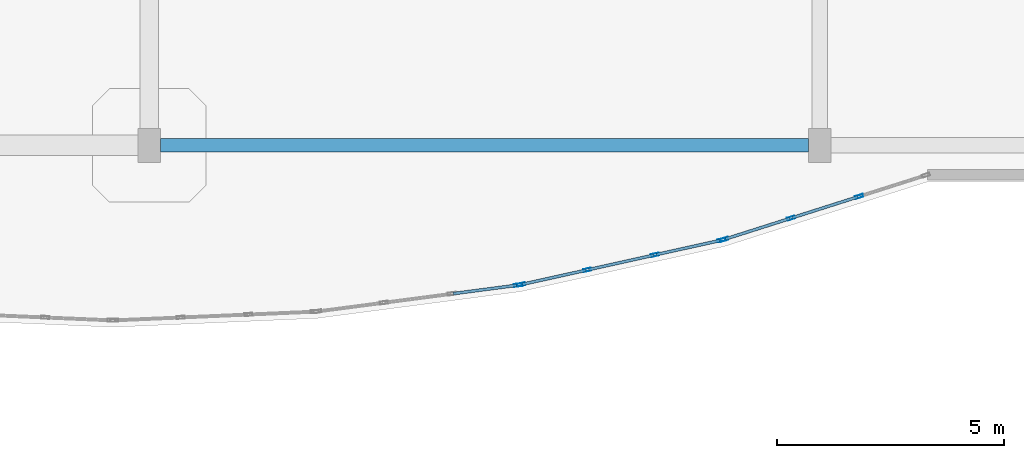
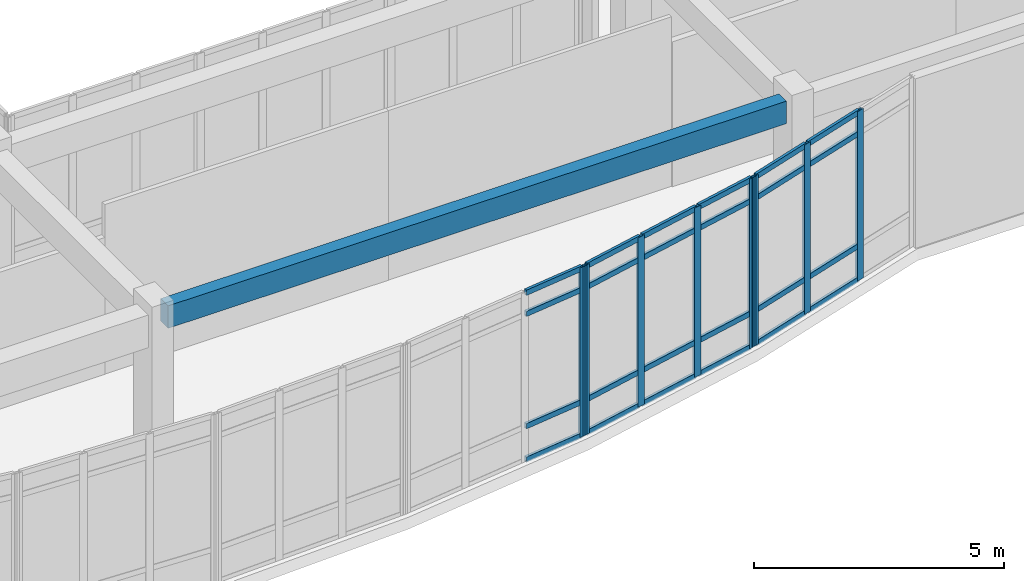
# One storey, part 80 of 142: 32 members, 1 beam, 3 elements without a shape of their own.
"""IFC4 building model written with IfcOpenShell, lengths in metres."""

from ifc_helpers import new_model, si_unit, direction, frame, origin, origin_2d, place, context, subcontext, project, spatial, rectangle, hollow_rectangle, extrude, material, layer, layer_set, material_profile, profile_set, type_object, element, aggregate, save


model = new_model("IFC4")

# Units and contexts
model_context = context("Model", 3, precision=1e-05, world=origin(), true_north=direction((0.0, 1.0)))
body_context = subcontext(model_context, "Body", "Model", "MODEL_VIEW")
ifc_project = project(units=[si_unit("LENGTHUNIT", "METRE"), si_unit("AREAUNIT", "SQUARE_METRE"), si_unit("VOLUMEUNIT", "CUBIC_METRE"), si_unit("PLANEANGLEUNIT", "RADIAN"), si_unit("MASSUNIT", "GRAM", prefix="KILO")], contexts=[model_context])

# Site, building, storey
site_placement = place(None, origin())
site = spatial("IfcSite", under=ifc_project, at=site_placement, CompositionType="ELEMENT")
building_placement = place(site_placement, origin())
building = spatial("IfcBuilding", under=site, at=building_placement, Name="Valcora Specialist Clinic", CompositionType="ELEMENT")
storey_placement = place(building_placement, frame((0.0, 0.0, 5.10009765625)))
storey = spatial("IfcBuildingStorey", under=building, at=storey_placement, Name="L01", CompositionType="ELEMENT", Elevation=5.10009765625)

# Beam
ifc_material_1 = material(Name="Concrete C40/50", Category="concrete")
ifc_material_profile_1 = material_profile(ifc_material_1, rectangle(XDim=0.300048828125, YDim=0.550048828125, at=origin_2d()), Name="RC-BM-300X550")
ifc_profile_set_1 = profile_set([ifc_material_profile_1], Name="Concrete C40/50")
beam_type = type_object("IfcBeamType", Name="TY-BM-RC300X550", PredefinedType="BEAM", material=ifc_profile_set_1)
beam_placement = place(storey_placement, frame((111.449951171875, 74.800048828125, 3.869873046875), z_axis=(1.0, 0.0, 0.0), x_axis=(0.0, 1.0, 0.0)))
element("IfcBeam", 1, at=beam_placement, inside=storey, type_object=beam_type, Name="Beam BM-L01-0619", PredefinedType="BEAM", context=body_context, shape_type="SweptSolid", body=[
    extrude(rectangle(XDim=0.300048828125, YDim=0.550048828125, at=origin_2d()), origin(), (0.0, 0.0, 1.0), 14.300048828125),
])

# Curtain wall, members
ifc_material_2 = material(Name="Anodized Bronze Aluminium 6063-T6", Category="aluminium")
ifc_layer = layer(ifc_material_2, 0.175048828125)
ifc_layer_set = layer_set([ifc_layer], Name="Anodized Bronze Aluminium 6063-T6")
curtain_wall_type = type_object("IfcCurtainWallType", Name="TY-CW-ARC44", PredefinedType="NOTDEFINED", material=ifc_layer_set)
curtain_wall_1_placement = place(storey_placement, origin())
curtain_wall_1 = element("IfcCurtainWall", 2, at=curtain_wall_1_placement, inside=storey, type_object=curtain_wall_type, Name="Curtain wall CW-L01-053", PredefinedType="NOTDEFINED")
ifc_material_profile_2 = material_profile(ifc_material_2, hollow_rectangle(XDim=0.06494140625, YDim=0.175048828125, WallThickness=0.00390625, at=origin_2d()), Name="AL-MUL-65X175")
ifc_profile_set_2 = profile_set([ifc_material_profile_2], Name="Anodized Bronze Aluminium 6063-T6")
member_type_1 = type_object("IfcMemberType", Name="TY-CWM-65X175", PredefinedType="MULLION", material=ifc_profile_set_2)
member_1_placement = place(storey_placement, frame((126.871337890625, 73.6708984375, 0.0), z_axis=(0.0, 0.0, 1.0), x_axis=(0.303233270958, -0.952916356972, 0.0)))
member_1 = element("IfcMember", 3, at=member_1_placement, type_object=member_type_1, Name="CW-ARC-44 mullion 2", PredefinedType="MULLION", context=body_context, shape_type="SweptSolid", body=[
    extrude(hollow_rectangle(XDim=0.06494140625, YDim=0.175048828125, WallThickness=0.00390625, at=origin_2d()), origin(), (0.0, 0.0, 1.0), 4.14501953125),
])
member_2_placement = place(storey_placement, frame((125.3662109375, 73.19189453125, 0.0), z_axis=(0.0, 0.0, 1.0), x_axis=(0.303233270958, -0.952916356972, 0.0)))
member_2 = element("IfcMember", 4, at=member_2_placement, type_object=member_type_1, Name="CW-ARC-44 mullion 3", PredefinedType="MULLION", context=body_context, shape_type="SweptSolid", body=[
    extrude(hollow_rectangle(XDim=0.06494140625, YDim=0.175048828125, WallThickness=0.00390625, at=origin_2d()), origin(), (0.0, 0.0, 1.0), 4.14501953125),
])
member_3_placement = place(storey_placement, frame((123.891845703125, 72.722900390625, 0.0), z_axis=(0.0, 0.0, 1.0), x_axis=(0.303233270958, -0.952916356972, 0.0)))
member_3 = element("IfcMember", 5, at=member_3_placement, type_object=member_type_1, Name="CW-ARC-44 mullion 4", PredefinedType="MULLION", context=body_context, shape_type="SweptSolid", body=[
    extrude(hollow_rectangle(XDim=0.06494140625, YDim=0.175048828125, WallThickness=0.00390625, at=origin_2d()), origin(), (0.0, 0.0, 1.0), 4.14501953125),
])

curtain_wall_2_placement = place(storey_placement, origin())
curtain_wall_2 = element("IfcCurtainWall", 6, at=curtain_wall_2_placement, inside=storey, type_object=curtain_wall_type, Name="Curtain wall CW-L01-054", PredefinedType="NOTDEFINED")
member_4_placement = place(storey_placement, frame((123.8291015625, 72.7060546875, 0.0), z_axis=(0.0, 0.0, 1.0), x_axis=(0.216518052372, -0.976278614432, 0.0)))
member_4 = element("IfcMember", 7, at=member_4_placement, type_object=member_type_1, Name="CW-ARC-44 mullion 1", PredefinedType="MULLION", context=body_context, shape_type="SweptSolid", body=[
    extrude(hollow_rectangle(XDim=0.06494140625, YDim=0.175048828125, WallThickness=0.00390625, at=origin_2d()), origin(), (0.0, 0.0, 1.0), 4.14501953125),
])
member_5_placement = place(storey_placement, frame((122.365234375, 72.38134765625, 0.0), z_axis=(0.0, 0.0, 1.0), x_axis=(0.216518052372, -0.976278614432, 0.0)))
member_5 = element("IfcMember", 8, at=member_5_placement, type_object=member_type_1, Name="CW-ARC-44 mullion 2", PredefinedType="MULLION", context=body_context, shape_type="SweptSolid", body=[
    extrude(hollow_rectangle(XDim=0.06494140625, YDim=0.175048828125, WallThickness=0.00390625, at=origin_2d()), origin(), (0.0, 0.0, 1.0), 4.14501953125),
])
member_6_placement = place(storey_placement, frame((120.86962890625, 72.049560546875, 0.0), z_axis=(0.0, 0.0, 1.0), x_axis=(0.216518052372, -0.976278614432, 0.0)))
member_6 = element("IfcMember", 9, at=member_6_placement, type_object=member_type_1, Name="CW-ARC-44 mullion 3", PredefinedType="MULLION", context=body_context, shape_type="SweptSolid", body=[
    extrude(hollow_rectangle(XDim=0.06494140625, YDim=0.175048828125, WallThickness=0.00390625, at=origin_2d()), origin(), (0.0, 0.0, 1.0), 4.14501953125),
])
member_7_placement = place(storey_placement, frame((119.40576171875, 71.724853515625, 0.0), z_axis=(0.0, 0.0, 1.0), x_axis=(0.216518052372, -0.976278614432, 0.0)))
member_7 = element("IfcMember", 10, at=member_7_placement, type_object=member_type_1, Name="CW-ARC-44 mullion 4", PredefinedType="MULLION", context=body_context, shape_type="SweptSolid", body=[
    extrude(hollow_rectangle(XDim=0.06494140625, YDim=0.175048828125, WallThickness=0.00390625, at=origin_2d()), origin(), (0.0, 0.0, 1.0), 4.14501953125),
])

# Curtain wall, member
curtain_wall_3_placement = place(storey_placement, origin())
curtain_wall_3 = element("IfcCurtainWall", 11, at=curtain_wall_3_placement, inside=storey, type_object=curtain_wall_type, Name="Curtain wall CW-L01-055", PredefinedType="NOTDEFINED")
member_8_placement = place(storey_placement, frame((119.341796875, 71.713623046875, 0.0), z_axis=(0.0, 0.0, 1.0), x_axis=(0.129999492259, -0.991514060421, 0.0)))
member_8 = element("IfcMember", 12, at=member_8_placement, type_object=member_type_1, Name="CW-ARC-44 mullion 1", PredefinedType="MULLION", context=body_context, shape_type="SweptSolid", body=[
    extrude(hollow_rectangle(XDim=0.06494140625, YDim=0.175048828125, WallThickness=0.00390625, at=origin_2d()), origin(), (0.0, 0.0, 1.0), 4.14501953125),
])

# Member
ifc_material_profile_3 = material_profile(ifc_material_2, hollow_rectangle(XDim=0.06494140625, YDim=0.1298828125, WallThickness=0.00390625, at=origin_2d()), Name="AL-TRN-65X130")
ifc_profile_set_3 = profile_set([ifc_material_profile_3], Name="Anodized Bronze Aluminium 6063-T6")
member_type_2 = type_object("IfcMemberType", Name="TY-CWT-65X130", PredefinedType="USERDEFINED", material=ifc_profile_set_3)
member_9_placement = place(storey_placement, frame((126.840576171875, 73.6611328125, 0.032470703125), z_axis=(-0.952930013692, -0.303190351109, 0.0), x_axis=(0.303190351109, -0.952930013692, 0.0)))
member_9 = element("IfcMember", 13, at=member_9_placement, type_object=member_type_2, Name="CW-ARC-44 transom 2.1", ObjectType="TRANSOM", PredefinedType="USERDEFINED", context=body_context, shape_type="SweptSolid", body=[
    extrude(hollow_rectangle(XDim=0.06494140625, YDim=0.1298828125, WallThickness=0.00390625, at=origin_2d()), origin(), (0.0, 0.0, 1.0), 1.5146484375),
])

member_10_placement = place(storey_placement, frame((126.840576171875, 73.6611328125, 0.849853515625), z_axis=(-0.952930013692, -0.303190351109, 0.0), x_axis=(0.303190351109, -0.952930013692, 0.0)))
member_10 = element("IfcMember", 14, at=member_10_placement, type_object=member_type_2, Name="CW-ARC-44 transom 2.2", ObjectType="TRANSOM", PredefinedType="USERDEFINED", context=body_context, shape_type="SweptSolid", body=[
    extrude(hollow_rectangle(XDim=0.06494140625, YDim=0.1298828125, WallThickness=0.00390625, at=origin_2d()), origin(), (0.0, 0.0, 1.0), 1.5146484375),
])

member_11_placement = place(storey_placement, frame((126.840576171875, 73.6611328125, 3.594970703125), z_axis=(-0.952930013692, -0.303190351109, 0.0), x_axis=(0.303190351109, -0.952930013692, 0.0)))
member_11 = element("IfcMember", 15, at=member_11_placement, type_object=member_type_2, Name="CW-ARC-44 transom 2.3", ObjectType="TRANSOM", PredefinedType="USERDEFINED", context=body_context, shape_type="SweptSolid", body=[
    extrude(hollow_rectangle(XDim=0.06494140625, YDim=0.1298828125, WallThickness=0.00390625, at=origin_2d()), origin(), (0.0, 0.0, 1.0), 1.5146484375),
])

member_12_placement = place(storey_placement, frame((126.840576171875, 73.6611328125, 4.1123046875), z_axis=(-0.952930013692, -0.303190351109, 0.0), x_axis=(0.303190351109, -0.952930013692, 0.0)))
member_12 = element("IfcMember", 16, at=member_12_placement, type_object=member_type_2, Name="CW-ARC-44 transom 2.4", ObjectType="TRANSOM", PredefinedType="USERDEFINED", context=body_context, shape_type="SweptSolid", body=[
    extrude(hollow_rectangle(XDim=0.06494140625, YDim=0.1298828125, WallThickness=0.00390625, at=origin_2d()), origin(), (0.0, 0.0, 1.0), 1.5146484375),
])

member_13_placement = place(storey_placement, frame((125.335205078125, 73.18212890625, 0.032470703125), z_axis=(-0.952910635624, -0.303251249816, 0.0), x_axis=(0.303251249816, -0.952910635624, 0.0)))
member_13 = element("IfcMember", 17, at=member_13_placement, type_object=member_type_2, Name="CW-ARC-44 transom 3.1", ObjectType="TRANSOM", PredefinedType="USERDEFINED", context=body_context, shape_type="SweptSolid", body=[
    extrude(hollow_rectangle(XDim=0.06494140625, YDim=0.1298828125, WallThickness=0.00390625, at=origin_2d()), origin(), (0.0, 0.0, 1.0), 1.482177734375),
])

member_14_placement = place(storey_placement, frame((125.335205078125, 73.18212890625, 0.849853515625), z_axis=(-0.952910635624, -0.303251249816, 0.0), x_axis=(0.303251249816, -0.952910635624, 0.0)))
member_14 = element("IfcMember", 18, at=member_14_placement, type_object=member_type_2, Name="CW-ARC-44 transom 3.2", ObjectType="TRANSOM", PredefinedType="USERDEFINED", context=body_context, shape_type="SweptSolid", body=[
    extrude(hollow_rectangle(XDim=0.06494140625, YDim=0.1298828125, WallThickness=0.00390625, at=origin_2d()), origin(), (0.0, 0.0, 1.0), 1.482177734375),
])

member_15_placement = place(storey_placement, frame((125.335205078125, 73.18212890625, 3.594970703125), z_axis=(-0.952910635624, -0.303251249816, 0.0), x_axis=(0.303251249816, -0.952910635624, 0.0)))
member_15 = element("IfcMember", 19, at=member_15_placement, type_object=member_type_2, Name="CW-ARC-44 transom 3.3", ObjectType="TRANSOM", PredefinedType="USERDEFINED", context=body_context, shape_type="SweptSolid", body=[
    extrude(hollow_rectangle(XDim=0.06494140625, YDim=0.1298828125, WallThickness=0.00390625, at=origin_2d()), origin(), (0.0, 0.0, 1.0), 1.482177734375),
])

member_16_placement = place(storey_placement, frame((125.335205078125, 73.18212890625, 4.1123046875), z_axis=(-0.952910635624, -0.303251249816, 0.0), x_axis=(0.303251249816, -0.952910635624, 0.0)))
member_16 = element("IfcMember", 20, at=member_16_placement, type_object=member_type_2, Name="CW-ARC-44 transom 3.4", ObjectType="TRANSOM", PredefinedType="USERDEFINED", context=body_context, shape_type="SweptSolid", body=[
    extrude(hollow_rectangle(XDim=0.06494140625, YDim=0.1298828125, WallThickness=0.00390625, at=origin_2d()), origin(), (0.0, 0.0, 1.0), 1.482177734375),
])

aggregate(curtain_wall_1, [member_1, member_2, member_3, member_9, member_10, member_11, member_12, member_13, member_14, member_15, member_16])

member_17_placement = place(storey_placement, frame((123.79736328125, 72.698974609375, 0.032470703125), z_axis=(-0.976283078872, -0.216497921256, 0.0), x_axis=(0.216497921256, -0.976283078872, 0.0)))
member_17 = element("IfcMember", 21, at=member_17_placement, type_object=member_type_2, Name="CW-ARC-44 transom 1.1", ObjectType="TRANSOM", PredefinedType="USERDEFINED", context=body_context, shape_type="SweptSolid", body=[
    extrude(hollow_rectangle(XDim=0.06494140625, YDim=0.1298828125, WallThickness=0.00390625, at=origin_2d()), origin(), (0.0, 0.0, 1.0), 1.434326171875),
])

member_18_placement = place(storey_placement, frame((123.79736328125, 72.698974609375, 0.849853515625), z_axis=(-0.976283078872, -0.216497921256, 0.0), x_axis=(0.216497921256, -0.976283078872, 0.0)))
member_18 = element("IfcMember", 22, at=member_18_placement, type_object=member_type_2, Name="CW-ARC-44 transom 1.2", ObjectType="TRANSOM", PredefinedType="USERDEFINED", context=body_context, shape_type="SweptSolid", body=[
    extrude(hollow_rectangle(XDim=0.06494140625, YDim=0.1298828125, WallThickness=0.00390625, at=origin_2d()), origin(), (0.0, 0.0, 1.0), 1.434326171875),
])

member_19_placement = place(storey_placement, frame((123.79736328125, 72.698974609375, 3.594970703125), z_axis=(-0.976283078872, -0.216497921256, 0.0), x_axis=(0.216497921256, -0.976283078872, 0.0)))
member_19 = element("IfcMember", 23, at=member_19_placement, type_object=member_type_2, Name="CW-ARC-44 transom 1.3", ObjectType="TRANSOM", PredefinedType="USERDEFINED", context=body_context, shape_type="SweptSolid", body=[
    extrude(hollow_rectangle(XDim=0.06494140625, YDim=0.1298828125, WallThickness=0.00390625, at=origin_2d()), origin(), (0.0, 0.0, 1.0), 1.434326171875),
])

member_20_placement = place(storey_placement, frame((123.79736328125, 72.698974609375, 4.1123046875), z_axis=(-0.976283078872, -0.216497921256, 0.0), x_axis=(0.216497921256, -0.976283078872, 0.0)))
member_20 = element("IfcMember", 24, at=member_20_placement, type_object=member_type_2, Name="CW-ARC-44 transom 1.4", ObjectType="TRANSOM", PredefinedType="USERDEFINED", context=body_context, shape_type="SweptSolid", body=[
    extrude(hollow_rectangle(XDim=0.06494140625, YDim=0.1298828125, WallThickness=0.00390625, at=origin_2d()), origin(), (0.0, 0.0, 1.0), 1.434326171875),
])

member_21_placement = place(storey_placement, frame((122.33349609375, 72.374267578125, 0.032470703125), z_axis=(-0.976277043921, -0.216525133676, 0.0), x_axis=(0.216525133676, -0.976277043921, 0.0)))
member_21 = element("IfcMember", 25, at=member_21_placement, type_object=member_type_2, Name="CW-ARC-44 transom 2.1", ObjectType="TRANSOM", PredefinedType="USERDEFINED", context=body_context, shape_type="SweptSolid", body=[
    extrude(hollow_rectangle(XDim=0.06494140625, YDim=0.1298828125, WallThickness=0.00390625, at=origin_2d()), origin(), (0.0, 0.0, 1.0), 1.467041015625),
])

member_22_placement = place(storey_placement, frame((122.33349609375, 72.374267578125, 0.849853515625), z_axis=(-0.976277043921, -0.216525133676, 0.0), x_axis=(0.216525133676, -0.976277043921, 0.0)))
member_22 = element("IfcMember", 26, at=member_22_placement, type_object=member_type_2, Name="CW-ARC-44 transom 2.2", ObjectType="TRANSOM", PredefinedType="USERDEFINED", context=body_context, shape_type="SweptSolid", body=[
    extrude(hollow_rectangle(XDim=0.06494140625, YDim=0.1298828125, WallThickness=0.00390625, at=origin_2d()), origin(), (0.0, 0.0, 1.0), 1.467041015625),
])

member_23_placement = place(storey_placement, frame((122.33349609375, 72.374267578125, 3.594970703125), z_axis=(-0.976277043921, -0.216525133676, 0.0), x_axis=(0.216525133676, -0.976277043921, 0.0)))
member_23 = element("IfcMember", 27, at=member_23_placement, type_object=member_type_2, Name="CW-ARC-44 transom 2.3", ObjectType="TRANSOM", PredefinedType="USERDEFINED", context=body_context, shape_type="SweptSolid", body=[
    extrude(hollow_rectangle(XDim=0.06494140625, YDim=0.1298828125, WallThickness=0.00390625, at=origin_2d()), origin(), (0.0, 0.0, 1.0), 1.467041015625),
])

member_24_placement = place(storey_placement, frame((122.33349609375, 72.374267578125, 4.1123046875), z_axis=(-0.976277043921, -0.216525133676, 0.0), x_axis=(0.216525133676, -0.976277043921, 0.0)))
member_24 = element("IfcMember", 28, at=member_24_placement, type_object=member_type_2, Name="CW-ARC-44 transom 2.4", ObjectType="TRANSOM", PredefinedType="USERDEFINED", context=body_context, shape_type="SweptSolid", body=[
    extrude(hollow_rectangle(XDim=0.06494140625, YDim=0.1298828125, WallThickness=0.00390625, at=origin_2d()), origin(), (0.0, 0.0, 1.0), 1.467041015625),
])

member_25_placement = place(storey_placement, frame((120.837890625, 72.04248046875, 0.032470703125), z_axis=(-0.976283078872, -0.216497921256, 0.0), x_axis=(0.216497921256, -0.976283078872, 0.0)))
member_25 = element("IfcMember", 29, at=member_25_placement, type_object=member_type_2, Name="CW-ARC-44 transom 3.1", ObjectType="TRANSOM", PredefinedType="USERDEFINED", context=body_context, shape_type="SweptSolid", body=[
    extrude(hollow_rectangle(XDim=0.06494140625, YDim=0.1298828125, WallThickness=0.00390625, at=origin_2d()), origin(), (0.0, 0.0, 1.0), 1.434326171875),
])

member_26_placement = place(storey_placement, frame((120.837890625, 72.04248046875, 0.849853515625), z_axis=(-0.976283078872, -0.216497921256, 0.0), x_axis=(0.216497921256, -0.976283078872, 0.0)))
member_26 = element("IfcMember", 30, at=member_26_placement, type_object=member_type_2, Name="CW-ARC-44 transom 3.2", ObjectType="TRANSOM", PredefinedType="USERDEFINED", context=body_context, shape_type="SweptSolid", body=[
    extrude(hollow_rectangle(XDim=0.06494140625, YDim=0.1298828125, WallThickness=0.00390625, at=origin_2d()), origin(), (0.0, 0.0, 1.0), 1.434326171875),
])

member_27_placement = place(storey_placement, frame((120.837890625, 72.04248046875, 3.594970703125), z_axis=(-0.976283078872, -0.216497921256, 0.0), x_axis=(0.216497921256, -0.976283078872, 0.0)))
member_27 = element("IfcMember", 31, at=member_27_placement, type_object=member_type_2, Name="CW-ARC-44 transom 3.3", ObjectType="TRANSOM", PredefinedType="USERDEFINED", context=body_context, shape_type="SweptSolid", body=[
    extrude(hollow_rectangle(XDim=0.06494140625, YDim=0.1298828125, WallThickness=0.00390625, at=origin_2d()), origin(), (0.0, 0.0, 1.0), 1.434326171875),
])

member_28_placement = place(storey_placement, frame((120.837890625, 72.04248046875, 4.1123046875), z_axis=(-0.976283078872, -0.216497921256, 0.0), x_axis=(0.216497921256, -0.976283078872, 0.0)))
member_28 = element("IfcMember", 32, at=member_28_placement, type_object=member_type_2, Name="CW-ARC-44 transom 3.4", ObjectType="TRANSOM", PredefinedType="USERDEFINED", context=body_context, shape_type="SweptSolid", body=[
    extrude(hollow_rectangle(XDim=0.06494140625, YDim=0.1298828125, WallThickness=0.00390625, at=origin_2d()), origin(), (0.0, 0.0, 1.0), 1.434326171875),
])

aggregate(curtain_wall_2, [member_4, member_5, member_6, member_7, member_17, member_18, member_19, member_20, member_21, member_22, member_23, member_24, member_25, member_26, member_27, member_28])

member_29_placement = place(storey_placement, frame((119.3095703125, 71.70947265625, 0.032470703125), z_axis=(-0.991520133728, -0.129953162379, 0.0), x_axis=(0.129953162379, -0.991520133728, 0.0)))
member_29 = element("IfcMember", 33, at=member_29_placement, type_object=member_type_2, Name="CW-ARC-44 transom 1.1", ObjectType="TRANSOM", PredefinedType="USERDEFINED", context=body_context, shape_type="SweptSolid", body=[
    extrude(hollow_rectangle(XDim=0.06494140625, YDim=0.1298828125, WallThickness=0.00390625, at=origin_2d()), origin(), (0.0, 0.0, 1.0), 1.410888671875),
])

member_30_placement = place(storey_placement, frame((119.3095703125, 71.70947265625, 0.849853515625), z_axis=(-0.991520133728, -0.129953162379, 0.0), x_axis=(0.129953162379, -0.991520133728, 0.0)))
member_30 = element("IfcMember", 34, at=member_30_placement, type_object=member_type_2, Name="CW-ARC-44 transom 1.2", ObjectType="TRANSOM", PredefinedType="USERDEFINED", context=body_context, shape_type="SweptSolid", body=[
    extrude(hollow_rectangle(XDim=0.06494140625, YDim=0.1298828125, WallThickness=0.00390625, at=origin_2d()), origin(), (0.0, 0.0, 1.0), 1.410888671875),
])

member_31_placement = place(storey_placement, frame((119.3095703125, 71.70947265625, 3.594970703125), z_axis=(-0.991520133728, -0.129953162379, 0.0), x_axis=(0.129953162379, -0.991520133728, 0.0)))
member_31 = element("IfcMember", 35, at=member_31_placement, type_object=member_type_2, Name="CW-ARC-44 transom 1.3", ObjectType="TRANSOM", PredefinedType="USERDEFINED", context=body_context, shape_type="SweptSolid", body=[
    extrude(hollow_rectangle(XDim=0.06494140625, YDim=0.1298828125, WallThickness=0.00390625, at=origin_2d()), origin(), (0.0, 0.0, 1.0), 1.410888671875),
])

member_32_placement = place(storey_placement, frame((119.3095703125, 71.70947265625, 4.1123046875), z_axis=(-0.991520133728, -0.129953162379, 0.0), x_axis=(0.129953162379, -0.991520133728, 0.0)))
member_32 = element("IfcMember", 36, at=member_32_placement, type_object=member_type_2, Name="CW-ARC-44 transom 1.4", ObjectType="TRANSOM", PredefinedType="USERDEFINED", context=body_context, shape_type="SweptSolid", body=[
    extrude(hollow_rectangle(XDim=0.06494140625, YDim=0.1298828125, WallThickness=0.00390625, at=origin_2d()), origin(), (0.0, 0.0, 1.0), 1.410888671875),
])

aggregate(curtain_wall_3, [member_8, member_29, member_30, member_31, member_32])

save(model, "model.ifc")
